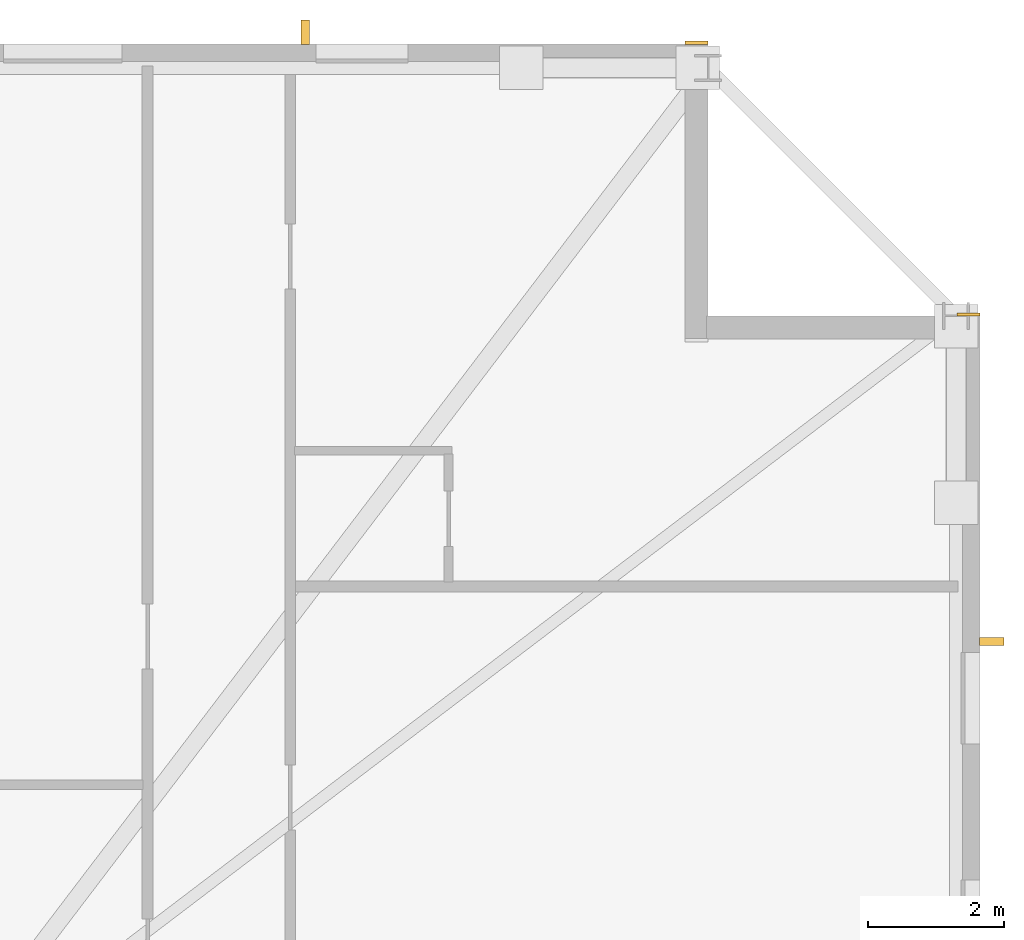
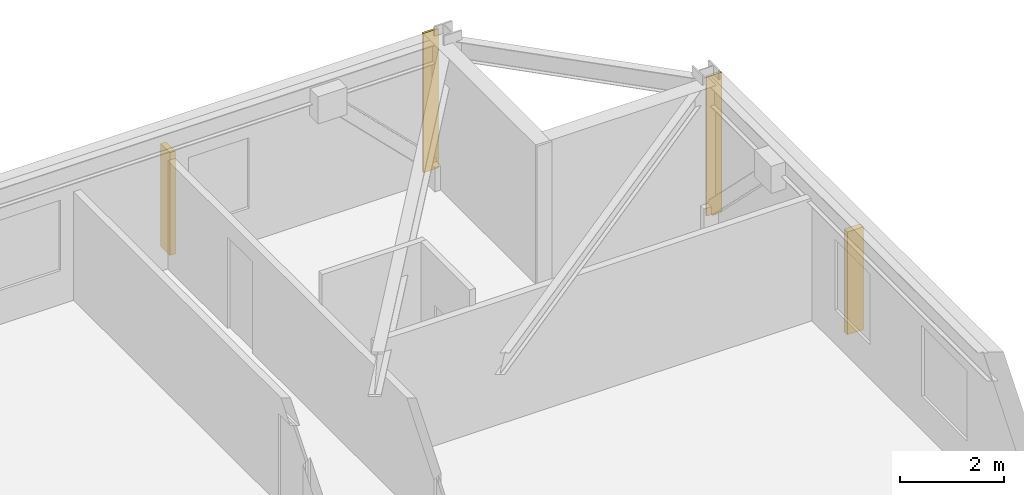
# One storey, part 11 of 11: 2 coverings, 2 shading devices.
"""IFC4 building model written with IfcOpenShell, lengths in metres."""

from ifc_helpers import new_model, si_unit, direction, frame, frame_2d, origin, origin_2d, place, context, subcontext, project, spatial, rectangle, extrude, material, layer, layer_set, type_object, element, save


model = new_model("IFC4")

# Units and contexts
model_context = context("Model", 3, precision=1e-05, world=origin(), true_north=direction((0.0, 1.0)))
body_context = subcontext(model_context, "Body", "Model", "MODEL_VIEW")
ifc_project = project(units=[si_unit("LENGTHUNIT", "METRE"), si_unit("AREAUNIT", "SQUARE_METRE"), si_unit("VOLUMEUNIT", "CUBIC_METRE"), si_unit("PLANEANGLEUNIT", "RADIAN"), si_unit("MASSUNIT", "GRAM", prefix="KILO")], contexts=[model_context])

# Site, building, storey
site_placement = place(None, origin())
site = spatial("IfcSite", under=ifc_project, at=site_placement, CompositionType="ELEMENT")
building_placement = place(site_placement, origin())
building = spatial("IfcBuilding", under=site, at=building_placement, Name="Cairnveth Concourse Tower", CompositionType="ELEMENT")
storey_placement = place(building_placement, frame((0.0, 0.0, 134.0)))
storey = spatial("IfcBuildingStorey", under=building, at=storey_placement, Name="L36", CompositionType="ELEMENT", Elevation=134.0)

# Coverings
ifc_material_1 = material(Name="Dressed Melbourne Bluestone Cladding", Category="masonry")
ifc_layer = layer(ifc_material_1, 0.050048828125)
ifc_layer_set = layer_set([ifc_layer], Name="Dressed Melbourne Bluestone Cladding")
covering_type = type_object("IfcCoveringType", Name="DRESSED BLUESTONE PLINTH CLADDING 50", PredefinedType="CLADDING", material=ifc_layer_set)
for number, where, z_axis, x_axis, name in (
    (1, (71.659912109375, 63.02001953125, 0.0), (0.0, 0.0, 1.0), (1.0, 0.0, 0.0), "Melbourne Bluestone Corner Quoin L36-519"),
    (2, (75.659912109375, 59.02001953125, 0.0), (0.0, 0.0, 1.0), (1.0, 0.0, 0.0), "Melbourne Bluestone Corner Quoin L36-521"),
):
    element("IfcCovering", number, at=place(storey_placement, frame(where, z_axis=z_axis, x_axis=x_axis)), inside=storey, type_object=covering_type, Name=name, PredefinedType="CLADDING", context=body_context, shape_type="SweptSolid", body=[
        extrude(rectangle(XDim=0.340087890625, YDim=0.050048828125, at=frame_2d((0.169921875, 0.0))), origin(), (0.0, 0.0, 1.0), 3.280029296875),
    ])

# Shading devices
ifc_material_2 = material(Name="Architectural Bronze Anodised Aluminium 6063-T6", Category="aluminium")
shading_device_type = type_object("IfcShadingDeviceType", Name="GOTHIC BRONZE VERTICAL LANCET FIN", PredefinedType="USERDEFINED", material=ifc_material_2)
for number, where, z_axis, x_axis, name in (
    (3, (66.0703125, 63.175048828125, 0.030029296875), (0.0, 0.0, 1.0), (1.0, 0.0, 0.0), "Gothic Bronze Vertical Fin L36-3-9"),
    (4, (76.175048828125, 54.208251953125, 0.030029296875), (0.0, 0.0, 1.0), (0.0, 1.0, 0.0), "Gothic Bronze Vertical Fin L36-6-1"),
):
    element("IfcShadingDevice", number, at=place(storey_placement, frame(where, z_axis=z_axis, x_axis=x_axis)), inside=storey, type_object=shading_device_type, Name=name, ObjectType="VERTICAL FIN", PredefinedType="USERDEFINED", context=body_context, shape_type="SweptSolid", body=[
        extrude(rectangle(XDim=0.1201171875, YDim=0.360107421875, at=origin_2d()), origin(), (0.0, 0.0, 1.0), 2.419921875),
    ])

save(model, "model.ifc")
